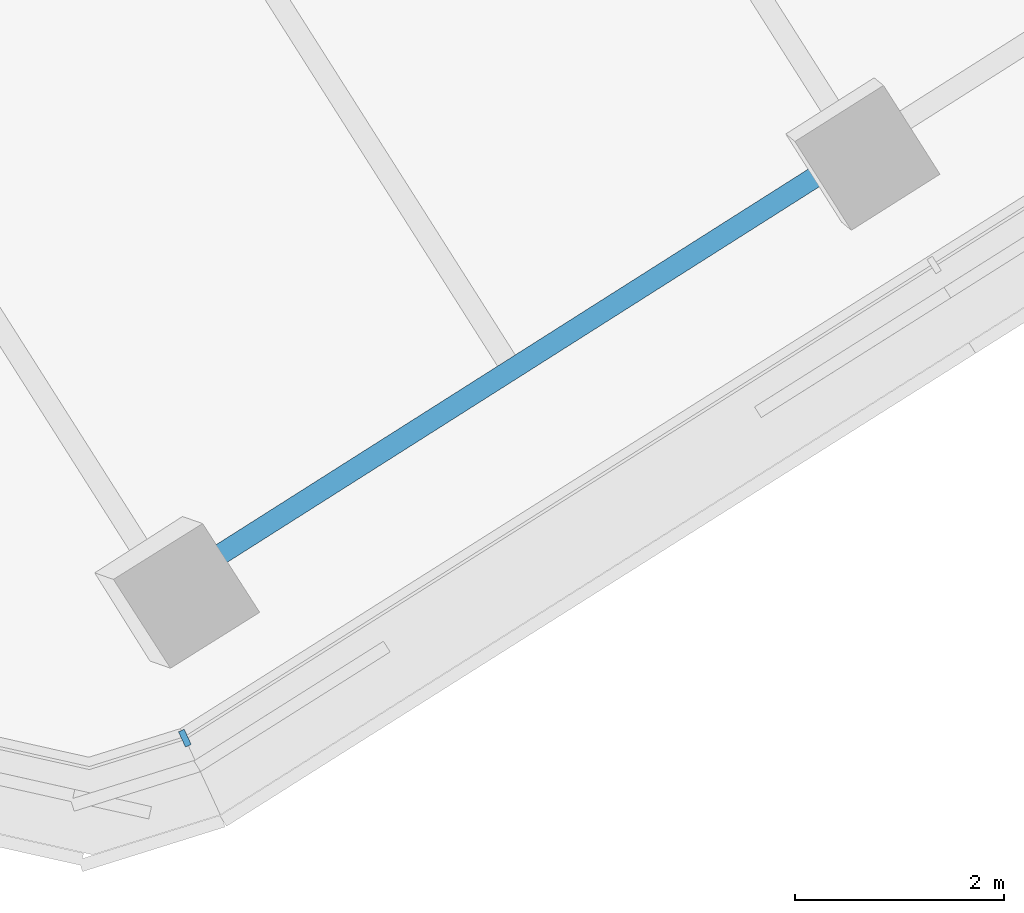
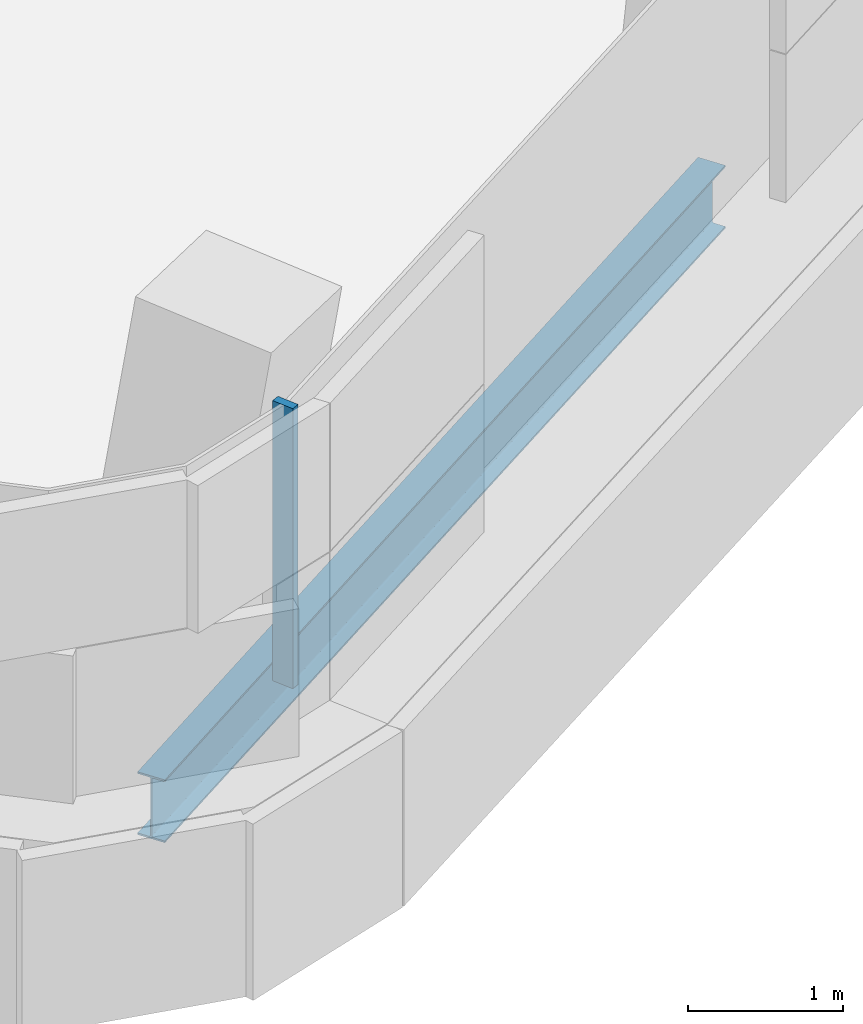
# One storey, part 2 of 36: 1 beam, 1 member, 1 element without a shape of its own.
"""IFC4 building model written with IfcOpenShell, lengths in metres."""

from ifc_helpers import new_model, si_unit, direction, frame, origin, origin_2d, place, context, subcontext, project, spatial, rectangle, i_section, extrude, material, layer, layer_set, material_profile, profile_set, type_object, element, aggregate, save


model = new_model("IFC4")

# Units and contexts
model_context = context("Model", 3, precision=1e-05, world=origin(), true_north=direction((0.0, 1.0)))
body_context = subcontext(model_context, "Body", "Model", "MODEL_VIEW")
ifc_project = project(units=[si_unit("LENGTHUNIT", "METRE"), si_unit("AREAUNIT", "SQUARE_METRE"), si_unit("VOLUMEUNIT", "CUBIC_METRE"), si_unit("PLANEANGLEUNIT", "RADIAN"), si_unit("MASSUNIT", "GRAM", prefix="KILO")], contexts=[model_context])

# Site, building, storey
site_placement = place(None, origin())
site = spatial("IfcSite", under=ifc_project, at=site_placement, CompositionType="ELEMENT")
building_placement = place(site_placement, origin())
building = spatial("IfcBuilding", under=site, at=building_placement, Name="Tamarind Cross Interchange Tower", CompositionType="ELEMENT")
storey_placement = place(building_placement, frame((0.0, 0.0, 151.75)))
storey = spatial("IfcBuildingStorey", under=building, at=storey_placement, Name="L37", CompositionType="ELEMENT", Elevation=151.75)

# Beam
ifc_material_1 = material(Name="Steel Q355B", Category="steel")
ifc_material_profile_1 = material_profile(ifc_material_1, i_section(OverallWidth=0.198974609375, OverallDepth=0.49609375, WebThickness=0.009033203125, FlangeThickness=0.013916015625, FilletRadius=0.012939453125, at=origin_2d()), Name="HN 496x199x9x14")
ifc_profile_set_1 = profile_set([ifc_material_profile_1], Name="Steel Q355B")
beam_type = type_object("IfcBeamType", Name="Composite beam HN 496x199x9x14 Q355B", PredefinedType="BEAM", material=ifc_profile_set_1)
beam_placement = place(storey_placement, frame((-40.265869140625, -18.10009765625, -0.387939453125), z_axis=(0.844434524803, 0.535658784414, 0.0), x_axis=(-0.535658784414, 0.844434524803, 0.0)))
element("IfcBeam", 1, at=beam_placement, inside=storey, type_object=beam_type, Name="Beam W-edgeep2", PredefinedType="BEAM", context=body_context, shape_type="SweptSolid", body=[
    extrude(i_section(OverallWidth=0.198974609375, OverallDepth=0.49609375, WebThickness=0.009033203125, FlangeThickness=0.013916015625, FilletRadius=0.012939453125, at=origin_2d()), origin(), (0.0, 0.0, 1.0), 7.81982421875),
])

# Curtain wall, member
ifc_material_2 = material(Name="Aluminium 6063-T6", Category="aluminium")
ifc_layer = layer(ifc_material_2, 0.159912109375)
ifc_layer_set = layer_set([ifc_layer], Name="Aluminium 6063-T6")
curtain_wall_type = type_object("IfcCurtainWallType", Name="Office curtain wall, 9.0 m bays", PredefinedType="NOTDEFINED", material=ifc_layer_set)
curtain_wall_placement = place(storey_placement, origin())
curtain_wall = element("IfcCurtainWall", 2, at=curtain_wall_placement, inside=storey, type_object=curtain_wall_type, Name="CWS-L37-05", PredefinedType="NOTDEFINED")
ifc_material_profile_2 = material_profile(ifc_material_2, rectangle(XDim=0.06005859375, YDim=0.159912109375, at=origin_2d()), Name="Mullion CW1")
ifc_profile_set_2 = profile_set([ifc_material_profile_2], Name="Aluminium 6063-T6")
member_type = type_object("IfcMemberType", Name="Mullion CW1", PredefinedType="MULLION", material=ifc_profile_set_2)
member_placement = place(storey_placement, frame((-40.08740234375, -19.5263671875, 1.39990234375), z_axis=(0.0, 0.0, 1.0), x_axis=(0.907569348858, 0.419902223158, 0.0)))
member = element("IfcMember", 3, at=member_placement, type_object=member_type, Name="CWM-L37-05-00", PredefinedType="MULLION", context=body_context, shape_type="SweptSolid", body=[
    extrude(rectangle(XDim=0.06005859375, YDim=0.159912109375, at=origin_2d()), origin(), (0.0, 0.0, 1.0), 2.210205078125),
])
aggregate(curtain_wall, [member])

save(model, "model.ifc")
